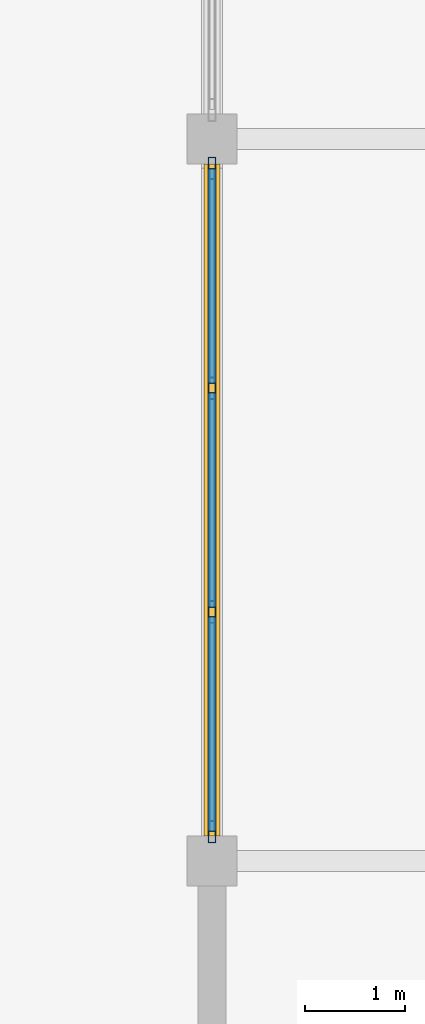
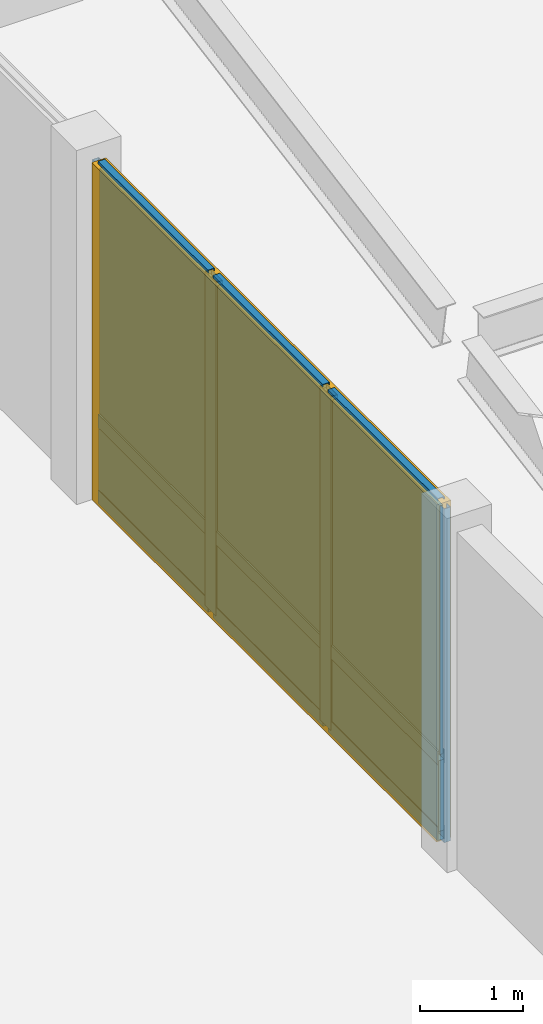
# One storey, part 8 of 16: 13 members, 6 plates, 1 curtain wall.
"""IFC4 building model written with IfcOpenShell, lengths in metres."""

from ifc_helpers import new_model, si_unit, direction, frame, origin, origin_2d, place, context, subcontext, project, spatial, rectangle, hollow_rectangle, extrude, material, layer, layer_set, material_profile, profile_set, type_object, element, aggregate, save


model = new_model("IFC4")

# Units and contexts
model_context = context("Model", 3, precision=1e-05, world=origin(), true_north=direction((0.0, 1.0)))
body_context = subcontext(model_context, "Body", "Model", "MODEL_VIEW")
ifc_project = project(units=[si_unit("LENGTHUNIT", "METRE"), si_unit("AREAUNIT", "SQUARE_METRE"), si_unit("VOLUMEUNIT", "CUBIC_METRE"), si_unit("PLANEANGLEUNIT", "RADIAN"), si_unit("MASSUNIT", "GRAM", prefix="KILO")], contexts=[model_context])

# Member
ifc_material_1 = material(Name="Anodized Aluminium 6063-T6", Category="aluminium")
ifc_material_profile_1 = material_profile(ifc_material_1, hollow_rectangle(XDim=0.074951171875, YDim=0.219970703125, WallThickness=0.0048828125, at=origin_2d()), Name="ALU 75x220x5")
ifc_profile_set_1 = profile_set([ifc_material_profile_1], Name="Anodized Aluminium 6063-T6")
member_type_1 = type_object("IfcMemberType", Name="CWM-75X180", PredefinedType="MULLION", material=ifc_profile_set_1)
site_placement = place(None, origin())
building_placement = place(site_placement, origin())
storey_placement = place(building_placement, frame((0.0, 0.0, 25.800048828125)))
member_1_placement = place(storey_placement, frame((57.60009765625, 101.090087890625, 0.02001953125), z_axis=(0.0, 0.0, 1.0), x_axis=(1.0, 0.0, 0.0)))
member_1 = element("IfcMember", 1, at=member_1_placement, type_object=member_type_1, Name="Curtain wall mullion CW-L07-08-14-W-00", PredefinedType="MULLION", context=body_context, shape_type="SweptSolid", body=[
    extrude(hollow_rectangle(XDim=0.074951171875, YDim=0.219970703125, WallThickness=0.0048828125, at=origin_2d()), origin(), (0.0, 0.0, 1.0), 3.9599609375),
])

member_2_placement = place(storey_placement, frame((57.60009765625, 103.283203125, 0.02001953125), z_axis=(0.0, 0.0, 1.0), x_axis=(1.0, 0.0, 0.0)))
member_2 = element("IfcMember", 2, at=member_2_placement, type_object=member_type_1, Name="Curtain wall mullion CW-L07-08-14-W-01", PredefinedType="MULLION", context=body_context, shape_type="SweptSolid", body=[
    extrude(hollow_rectangle(XDim=0.074951171875, YDim=0.219970703125, WallThickness=0.0048828125, at=origin_2d()), origin(), (0.0, 0.0, 1.0), 3.9599609375),
])

member_3_placement = place(storey_placement, frame((57.60009765625, 105.5166015625, 0.02001953125), z_axis=(0.0, 0.0, 1.0), x_axis=(1.0, 0.0, 0.0)))
member_3 = element("IfcMember", 3, at=member_3_placement, type_object=member_type_1, Name="Curtain wall mullion CW-L07-08-14-W-02", PredefinedType="MULLION", context=body_context, shape_type="SweptSolid", body=[
    extrude(hollow_rectangle(XDim=0.074951171875, YDim=0.219970703125, WallThickness=0.0048828125, at=origin_2d()), origin(), (0.0, 0.0, 1.0), 3.9599609375),
])

member_4_placement = place(storey_placement, frame((57.60009765625, 107.7099609375, 0.02001953125), z_axis=(0.0, 0.0, 1.0), x_axis=(1.0, 0.0, 0.0)))
member_4 = element("IfcMember", 4, at=member_4_placement, type_object=member_type_1, Name="Curtain wall mullion CW-L07-08-14-W-03", PredefinedType="MULLION", context=body_context, shape_type="SweptSolid", body=[
    extrude(hollow_rectangle(XDim=0.074951171875, YDim=0.219970703125, WallThickness=0.0048828125, at=origin_2d()), origin(), (0.0, 0.0, 1.0), 3.9599609375),
])

ifc_material_profile_2 = material_profile(ifc_material_1, hollow_rectangle(XDim=0.074951171875, YDim=0.159912109375, WallThickness=0.00390625, at=origin_2d()), Name="ALU 75x160x4")
ifc_profile_set_2 = profile_set([ifc_material_profile_2], Name="Anodized Aluminium 6063-T6")
member_type_2 = type_object("IfcMemberType", Name="CWT-75X150", PredefinedType="USERDEFINED", material=ifc_profile_set_2)
member_5_placement = place(storey_placement, frame((57.60009765625, 101.10009765625, 0.050048828125), z_axis=(0.0, 1.0, 0.0), x_axis=(-1.0, 0.0, 0.0)))
member_5 = element("IfcMember", 5, at=member_5_placement, type_object=member_type_2, Name="Curtain wall transom CW-L07-08-14-W-1.01", ObjectType="TRANSOM", PredefinedType="USERDEFINED", context=body_context, shape_type="SweptSolid", body=[
    extrude(hollow_rectangle(XDim=0.074951171875, YDim=0.159912109375, WallThickness=0.00390625, at=origin_2d()), origin(), (0.0, 0.0, 1.0), 2.13330078125),
])

member_6_placement = place(storey_placement, frame((57.60009765625, 103.333251953125, 0.050048828125), z_axis=(0.0, 1.0, 0.0), x_axis=(-1.0, 0.0, 0.0)))
member_6 = element("IfcMember", 6, at=member_6_placement, type_object=member_type_2, Name="Curtain wall transom CW-L07-08-14-W-1.02", ObjectType="TRANSOM", PredefinedType="USERDEFINED", context=body_context, shape_type="SweptSolid", body=[
    extrude(hollow_rectangle(XDim=0.074951171875, YDim=0.159912109375, WallThickness=0.00390625, at=origin_2d()), origin(), (0.0, 0.0, 1.0), 2.133544921875),
])

member_7_placement = place(storey_placement, frame((57.60009765625, 105.566650390625, 0.050048828125), z_axis=(0.0, 1.0, 0.0), x_axis=(-1.0, 0.0, 0.0)))
member_7 = element("IfcMember", 7, at=member_7_placement, type_object=member_type_2, Name="Curtain wall transom CW-L07-08-14-W-1.03", ObjectType="TRANSOM", PredefinedType="USERDEFINED", context=body_context, shape_type="SweptSolid", body=[
    extrude(hollow_rectangle(XDim=0.074951171875, YDim=0.159912109375, WallThickness=0.00390625, at=origin_2d()), origin(), (0.0, 0.0, 1.0), 2.13330078125),
])

member_8_placement = place(storey_placement, frame((57.60009765625, 101.10009765625, 0.949951171875), z_axis=(0.0, 1.0, 0.0), x_axis=(-1.0, 0.0, 0.0)))
member_8 = element("IfcMember", 8, at=member_8_placement, type_object=member_type_2, Name="Curtain wall transom CW-L07-08-14-W-2.01", ObjectType="TRANSOM", PredefinedType="USERDEFINED", context=body_context, shape_type="SweptSolid", body=[
    extrude(hollow_rectangle(XDim=0.074951171875, YDim=0.159912109375, WallThickness=0.00390625, at=origin_2d()), origin(), (0.0, 0.0, 1.0), 2.13330078125),
])

member_9_placement = place(storey_placement, frame((57.60009765625, 103.333251953125, 0.949951171875), z_axis=(0.0, 1.0, 0.0), x_axis=(-1.0, 0.0, 0.0)))
member_9 = element("IfcMember", 9, at=member_9_placement, type_object=member_type_2, Name="Curtain wall transom CW-L07-08-14-W-2.02", ObjectType="TRANSOM", PredefinedType="USERDEFINED", context=body_context, shape_type="SweptSolid", body=[
    extrude(hollow_rectangle(XDim=0.074951171875, YDim=0.159912109375, WallThickness=0.00390625, at=origin_2d()), origin(), (0.0, 0.0, 1.0), 2.133544921875),
])

member_10_placement = place(storey_placement, frame((57.60009765625, 105.566650390625, 0.949951171875), z_axis=(0.0, 1.0, 0.0), x_axis=(-1.0, 0.0, 0.0)))
member_10 = element("IfcMember", 10, at=member_10_placement, type_object=member_type_2, Name="Curtain wall transom CW-L07-08-14-W-2.03", ObjectType="TRANSOM", PredefinedType="USERDEFINED", context=body_context, shape_type="SweptSolid", body=[
    extrude(hollow_rectangle(XDim=0.074951171875, YDim=0.159912109375, WallThickness=0.00390625, at=origin_2d()), origin(), (0.0, 0.0, 1.0), 2.13330078125),
])

member_11_placement = place(storey_placement, frame((57.60009765625, 101.10009765625, 3.949951171875), z_axis=(0.0, 1.0, 0.0), x_axis=(-1.0, 0.0, 0.0)))
member_11 = element("IfcMember", 11, at=member_11_placement, type_object=member_type_2, Name="Curtain wall transom CW-L07-08-14-W-3.01", ObjectType="TRANSOM", PredefinedType="USERDEFINED", context=body_context, shape_type="SweptSolid", body=[
    extrude(hollow_rectangle(XDim=0.074951171875, YDim=0.159912109375, WallThickness=0.00390625, at=origin_2d()), origin(), (0.0, 0.0, 1.0), 2.13330078125),
])

member_12_placement = place(storey_placement, frame((57.60009765625, 103.333251953125, 3.949951171875), z_axis=(0.0, 1.0, 0.0), x_axis=(-1.0, 0.0, 0.0)))
member_12 = element("IfcMember", 12, at=member_12_placement, type_object=member_type_2, Name="Curtain wall transom CW-L07-08-14-W-3.02", ObjectType="TRANSOM", PredefinedType="USERDEFINED", context=body_context, shape_type="SweptSolid", body=[
    extrude(hollow_rectangle(XDim=0.074951171875, YDim=0.159912109375, WallThickness=0.00390625, at=origin_2d()), origin(), (0.0, 0.0, 1.0), 2.133544921875),
])

member_13_placement = place(storey_placement, frame((57.60009765625, 105.566650390625, 3.949951171875), z_axis=(0.0, 1.0, 0.0), x_axis=(-1.0, 0.0, 0.0)))
member_13 = element("IfcMember", 13, at=member_13_placement, type_object=member_type_2, Name="Curtain wall transom CW-L07-08-14-W-3.03", ObjectType="TRANSOM", PredefinedType="USERDEFINED", context=body_context, shape_type="SweptSolid", body=[
    extrude(hollow_rectangle(XDim=0.074951171875, YDim=0.159912109375, WallThickness=0.00390625, at=origin_2d()), origin(), (0.0, 0.0, 1.0), 2.13330078125),
])

# Plate
ifc_material_2 = material(Name="Acoustic Laminated Low-E Glazing", Category="glass")
ifc_layer_1 = layer(ifc_material_2, 0.0439453125)
ifc_layer_set_1 = layer_set([ifc_layer_1], Name="Acoustic Laminated Low-E Glazing")
plate_type_1 = type_object("IfcPlateType", Name="CWP-IGU-44", PredefinedType="CURTAIN_PANEL", material=ifc_layer_set_1)
plate_1_placement = place(storey_placement, frame((57.60009765625, 102.166748046875, 0.98974609375), z_axis=(0.0, 0.0, 1.0), x_axis=(0.0, 1.0, 0.0)))
plate_1 = element("IfcPlate", 14, at=plate_1_placement, type_object=plate_type_1, Name="Curtain wall vision glazing CW-L07-08-14-W-01", PredefinedType="CURTAIN_PANEL", context=body_context, shape_type="SweptSolid", body=[
    extrude(rectangle(XDim=2.143310546875, YDim=0.0400390625, at=origin_2d()), origin(), (0.0, 0.0, 1.0), 2.949951171875),
])

plate_2_placement = place(storey_placement, frame((57.60009765625, 104.39990234375, 0.98974609375), z_axis=(0.0, 0.0, 1.0), x_axis=(0.0, 1.0, 0.0)))
plate_2 = element("IfcPlate", 15, at=plate_2_placement, type_object=plate_type_1, Name="Curtain wall vision glazing CW-L07-08-14-W-02", PredefinedType="CURTAIN_PANEL", context=body_context, shape_type="SweptSolid", body=[
    extrude(rectangle(XDim=2.143310546875, YDim=0.0400390625, at=origin_2d()), origin(), (0.0, 0.0, 1.0), 2.949951171875),
])

plate_3_placement = place(storey_placement, frame((57.60009765625, 106.63330078125, 0.98974609375), z_axis=(0.0, 0.0, 1.0), x_axis=(0.0, 1.0, 0.0)))
plate_3 = element("IfcPlate", 16, at=plate_3_placement, type_object=plate_type_1, Name="Curtain wall vision glazing CW-L07-08-14-W-03", PredefinedType="CURTAIN_PANEL", context=body_context, shape_type="SweptSolid", body=[
    extrude(rectangle(XDim=2.143310546875, YDim=0.0400390625, at=origin_2d()), origin(), (0.0, 0.0, 1.0), 2.949951171875),
])

ifc_material_3 = material(Name="Insulated Stone-Composite Spandrel", Category="masonry")
ifc_layer_2 = layer(ifc_material_3, 0.068115234375)
ifc_layer_set_2 = layer_set([ifc_layer_2], Name="Insulated Stone-Composite Spandrel")
plate_type_2 = type_object("IfcPlateType", Name="CWP-SPN-68", PredefinedType="CURTAIN_PANEL", material=ifc_layer_set_2)
plate_4_placement = place(storey_placement, frame((57.60009765625, 102.166748046875, 0.080078125), z_axis=(0.0, 0.0, 1.0), x_axis=(0.0, 1.0, 0.0)))
plate_4 = element("IfcPlate", 17, at=plate_4_placement, type_object=plate_type_2, Name="Curtain wall spandrel panel CW-L07-08-14-W-01", PredefinedType="CURTAIN_PANEL", context=body_context, shape_type="SweptSolid", body=[
    extrude(rectangle(XDim=2.143310546875, YDim=0.06005859375, at=origin_2d()), origin(), (0.0, 0.0, 1.0), 0.840087890625),
])

plate_5_placement = place(storey_placement, frame((57.60009765625, 104.39990234375, 0.080078125), z_axis=(0.0, 0.0, 1.0), x_axis=(0.0, 1.0, 0.0)))
plate_5 = element("IfcPlate", 18, at=plate_5_placement, type_object=plate_type_2, Name="Curtain wall spandrel panel CW-L07-08-14-W-02", PredefinedType="CURTAIN_PANEL", context=body_context, shape_type="SweptSolid", body=[
    extrude(rectangle(XDim=2.143310546875, YDim=0.06005859375, at=origin_2d()), origin(), (0.0, 0.0, 1.0), 0.840087890625),
])

plate_6_placement = place(storey_placement, frame((57.60009765625, 106.63330078125, 0.080078125), z_axis=(0.0, 0.0, 1.0), x_axis=(0.0, 1.0, 0.0)))
plate_6 = element("IfcPlate", 19, at=plate_6_placement, type_object=plate_type_2, Name="Curtain wall spandrel panel CW-L07-08-14-W-03", PredefinedType="CURTAIN_PANEL", context=body_context, shape_type="SweptSolid", body=[
    extrude(rectangle(XDim=2.143310546875, YDim=0.06005859375, at=origin_2d()), origin(), (0.0, 0.0, 1.0), 0.840087890625),
])

# Site, building, storey
site = spatial("IfcSite", under=ifc_project, at=site_placement, CompositionType="ELEMENT")
building = spatial("IfcBuilding", under=site, at=building_placement, Name="Sillqori Civic Hall", CompositionType="ELEMENT")
storey = spatial("IfcBuildingStorey", under=building, at=storey_placement, Name="L07", CompositionType="ELEMENT", Elevation=25.800048828125)

# Curtain wall
ifc_material_4 = material(Name="Anodized Aluminium Curtain Wall System", Category="aluminium")
curtain_wall_type = type_object("IfcCurtainWallType", Name="CW-OB-340", PredefinedType="NOTDEFINED", material=ifc_material_4)
curtain_wall_placement = place(storey_placement, frame((57.60009765625, 104.39990234375, 0.0), z_axis=(0.0, 0.0, 1.0), x_axis=(0.0, 1.0, 0.0)))
curtain_wall = element("IfcCurtainWall", 20, at=curtain_wall_placement, inside=storey, type_object=curtain_wall_type, Name="L07 unitised curtain wall CW-L07-08-14-W", PredefinedType="NOTDEFINED", context=body_context, shape_type="SweptSolid", body=[
    extrude(rectangle(XDim=6.699951171875, YDim=0.159912109375, at=origin_2d()), origin(), (0.0, 0.0, 1.0), 4.0),
])

aggregate(curtain_wall, [member_1, member_2, member_3, member_4, member_5, member_6, member_7, member_8, member_9, member_10, member_11, member_12, member_13, plate_4, plate_1, plate_5, plate_2, plate_6, plate_3])

save(model, "model.ifc")
